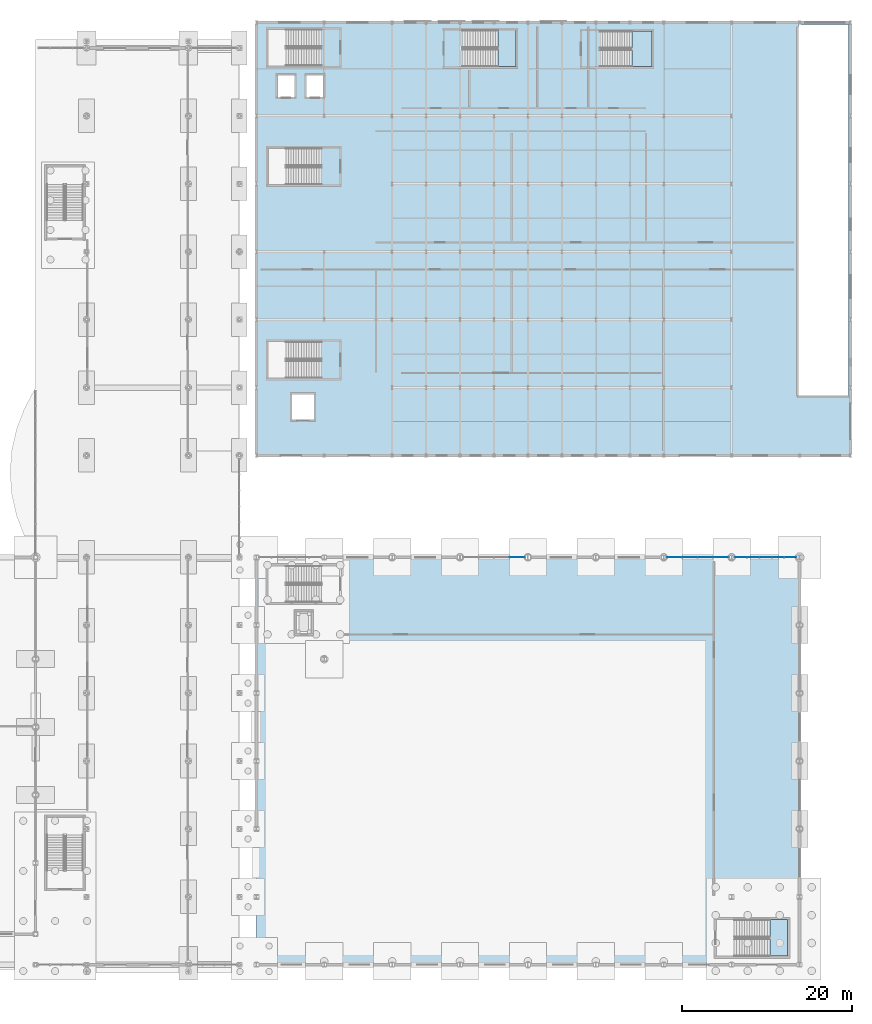
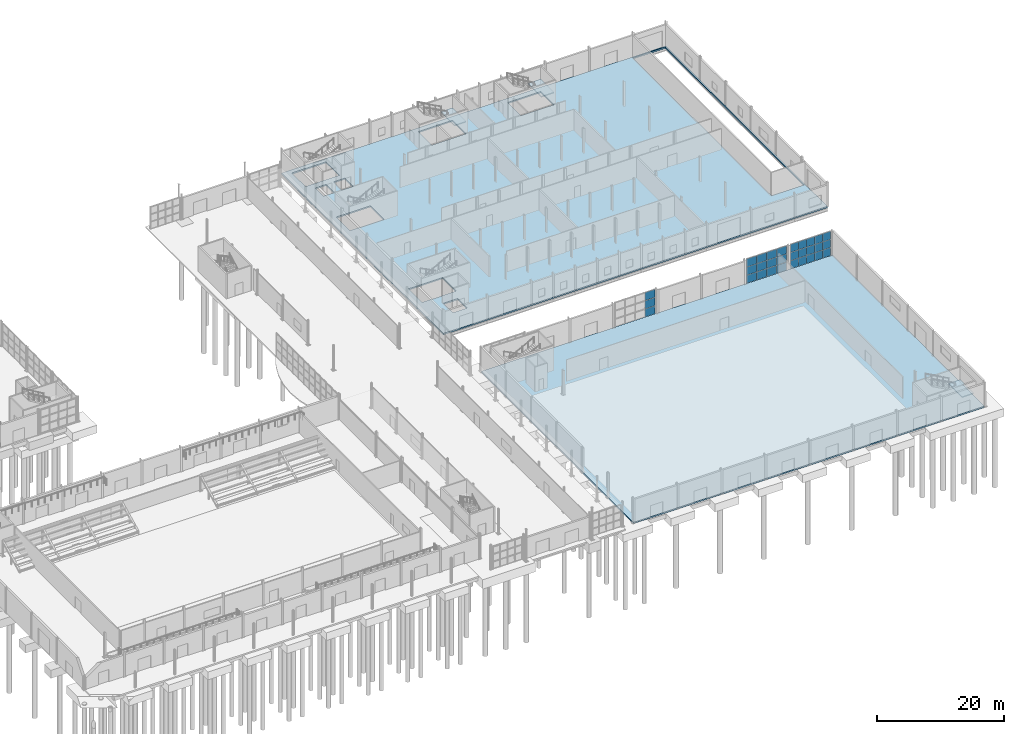
# One storey, part 68 of 101: 30 plates, 5 slabs, 6 elements without a shape of their own.
"""IFC4 building model written with IfcOpenShell, lengths in metres."""

import ifcopenshell
import ifcopenshell.guid

model = None  # the IFC model being written
_history = None  # IfcOwnerHistory: only IFC2X3 demands one
_inside = {}  # id of a spatial element -> (the spatial element, [elements in it])
_under = {}  # id of a project, library or spatial element -> (it, [spatial elements below it])
_declared = {}  # id of a project -> (the project, [libraries it declares])
_typed = {}  # id of a type object -> (the type object, [elements of that type])
_made_of = {}  # id of a material, layer set ... -> (it, [elements and type objects made of it])


def new_model(schema):
    """Start an empty IFC model of exactly this schema.

    Asked for "IFC4X3", IfcOpenShell would pick the latest addendum, in which some entities
    have other attributes; the version numbers below select the first issue.
    IFC2X3 requires an IfcOwnerHistory on every rooted entity: one is made here for all.
    """
    global model, _history
    if schema == "IFC4X3":
        model = ifcopenshell.file(schema_version=(4, 3, 0, 0))
    else:
        model = ifcopenshell.file(schema=schema)
    _inside.clear()
    _under.clear()
    _declared.clear()
    _typed.clear()
    _made_of.clear()
    _history = None
    if model.schema == "IFC2X3":
        org = make("IfcOrganization", Name="unknown")
        user = make(
            "IfcPersonAndOrganization",
            ThePerson=make("IfcPerson", FamilyName="unknown"),
            TheOrganization=org,
        )
        app = make(
            "IfcApplication",
            ApplicationDeveloper=org,
            Version="unknown",
            ApplicationFullName="unknown",
            ApplicationIdentifier="unknown",
        )
        _history = make(
            "IfcOwnerHistory",
            OwningUser=user,
            OwningApplication=app,
            ChangeAction="ADDED",
            CreationDate=0,
        )
    return model


def make(cls, **values):
    """One entity of the class cls with the attributes given. An attribute that is None is left unset."""
    return model.create_entity(
        cls, **{name: value for name, value in values.items() if value is not None}
    )


def rooted(cls, **values):
    """An entity with a GlobalId (a new one), such as an element, a storey or a relation."""
    return make(cls, GlobalId=ifcopenshell.guid.new(), OwnerHistory=_history, **values)


def si_unit(unit_type, name, prefix=None):
    """IfcSIUnit, for example si_unit("LENGTHUNIT", "METRE", prefix="MILLI")."""
    return make("IfcSIUnit", UnitType=unit_type, Prefix=prefix, Name=name)


def derived_unit(unit_type, elements):
    """IfcDerivedUnit: a product of units, each with its exponent."""
    return make(
        "IfcDerivedUnit",
        Elements=[
            make("IfcDerivedUnitElement", Unit=unit, Exponent=power)
            for unit, power in elements
        ],
        UnitType=unit_type,
    )


def assignment(units):
    """IfcUnitAssignment: the units of a project."""
    return None if units is None else make("IfcUnitAssignment", Units=units)


def point(xyz):
    """IfcCartesianPoint."""
    return None if xyz is None else make("IfcCartesianPoint", Coordinates=xyz)


def direction(xyz):
    """IfcDirection."""
    return None if xyz is None else make("IfcDirection", DirectionRatios=xyz)


def frame(location, z_axis=None, x_axis=None):
    """IfcAxis2Placement3D, a coordinate frame: its origin and axes. An axis left out is left unset."""
    return make(
        "IfcAxis2Placement3D",
        Location=point(location),
        Axis=direction(z_axis),
        RefDirection=direction(x_axis),
    )


def frame_2d(location, x_axis=None):
    """IfcAxis2Placement2D, a coordinate frame in the plane: its origin and x axis."""
    return make(
        "IfcAxis2Placement2D", Location=point(location), RefDirection=direction(x_axis)
    )


def origin():
    """The frame at (0, 0, 0) with its axes left unset."""
    return frame((0.0, 0.0, 0.0))


def origin_2d():
    """The frame at (0, 0) in the plane with its x axis left unset."""
    return frame_2d((0.0, 0.0))


def place(relative_to, where):
    """IfcLocalPlacement: puts the frame where relative to a parent placement (None: the world)."""
    return make(
        "IfcLocalPlacement", PlacementRelTo=relative_to, RelativePlacement=where
    )


def context(
    kind, dimensions, precision=None, world=None, true_north=None, identifier=None
):
    """IfcGeometricRepresentationContext, for example the 3D "Model" context."""
    return make(
        "IfcGeometricRepresentationContext",
        ContextIdentifier=identifier,
        ContextType=kind,
        CoordinateSpaceDimension=dimensions,
        Precision=precision,
        WorldCoordinateSystem=world,
        TrueNorth=true_north,
    )


def subcontext(parent, identifier, kind, view, scale=None):
    """IfcGeometricRepresentationSubContext, for example "Body" below "Model"."""
    return make(
        "IfcGeometricRepresentationSubContext",
        ContextIdentifier=identifier,
        ContextType=kind,
        ParentContext=parent,
        TargetScale=scale,
        TargetView=view,
    )


def project(units=None, contexts=None):
    """IfcProject with its units and contexts."""
    return rooted(
        "IfcProject",
        Name="project",
        RepresentationContexts=contexts,
        UnitsInContext=assignment(units),
    )


def spatial(cls, under=None, at=None, **own):
    """A site, building, storey or space (cls), placed at a placement, below another one or the project."""
    s = rooted(cls, ObjectPlacement=at, **own)
    if under is not None:
        _under.setdefault(under.id(), (under, []))[1].append(s)
    return s


def polyline(points):
    """IfcPolyline through the points."""
    return make("IfcPolyline", Points=[point(p) for p in points])


def profile(cls, at=None, kind="AREA", **sizes):
    """A parametric profile (cls). Its sizes go by their IFC names, for example OverallWidth=200.0."""
    return make(cls, ProfileType=kind, Position=at, **sizes)


def rectangle(**sizes):
    """IfcRectangleProfileDef."""
    return profile("IfcRectangleProfileDef", **sizes)


def outline(outer, holes=None, kind="AREA"):
    """IfcArbitraryClosedProfileDef: a profile drawn as a closed curve; with holes, ...WithVoids."""
    if holes is None:
        return make("IfcArbitraryClosedProfileDef", ProfileType=kind, OuterCurve=outer)
    return make(
        "IfcArbitraryProfileDefWithVoids",
        ProfileType=kind,
        OuterCurve=outer,
        InnerCurves=holes,
    )


def extrude(swept, where, along, depth):
    """IfcExtrudedAreaSolid: the profile swept, set in the frame where, extruded along a direction by depth."""
    return make(
        "IfcExtrudedAreaSolid",
        SweptArea=swept,
        Position=where,
        ExtrudedDirection=direction(along),
        Depth=depth,
    )


def shape(context_of_items, identifier, shape_type, items):
    """IfcShapeRepresentation: the items that make up one representation, for example the "Body"."""
    return make(
        "IfcShapeRepresentation",
        ContextOfItems=context_of_items,
        RepresentationIdentifier=identifier,
        RepresentationType=shape_type,
        Items=items,
    )


def material(Name=None, Category=None):
    """IfcMaterial."""
    return make("IfcMaterial", Name=Name, Category=Category)


def layer(
    of_material, thickness, ventilated=None, Name=None, Category=None, Priority=None
):
    """IfcMaterialLayer: one layer of a wall or slab, of a material (None: an air gap)."""
    return make(
        "IfcMaterialLayer",
        Material=of_material,
        LayerThickness=thickness,
        IsVentilated=ventilated,
        Name=Name,
        Category=Category,
        Priority=Priority,
    )


def layer_set(layers, Name=None):
    """IfcMaterialLayerSet."""
    return make("IfcMaterialLayerSet", MaterialLayers=layers, LayerSetName=Name)


def made_of(thing, what):
    """Note that an element or type object is made of a material, layer set ...; save() writes the relation."""
    if what is not None:
        _made_of.setdefault(what.id(), (what, []))[1].append(thing)
    return thing


def type_object(cls, material=None, **own):
    """A type object (cls), such as IfcWallType, which elements share."""
    return made_of(rooted(cls, **own), material)


def element(
    cls,
    number,
    at=None,
    inside=None,
    cuts=None,
    type_object=None,
    material=None,
    context=None,
    identifier="Body",
    shape_type=None,
    held_by="IfcProductDefinitionShape",
    body=None,
    shapes=None,
    **own,
):
    """One element of the class cls, such as IfcWall. Its Tag is "e" and its number.

    at: its placement. inside: the storey or other place that contains it. cuts: it is an
    opening in that element (IfcRelVoidsElement). A single representation is given by context,
    identifier, shape_type and body (its items); several are given by shapes. held_by: the class
    of the entity that holds the representations. save() writes the other relations.
    """
    e = rooted(cls, Tag="e%d" % number, ObjectPlacement=at, **own)
    if body is not None:
        shapes = [shape(context, identifier, shape_type, body)]
    if shapes is not None:
        e.Representation = make(held_by, Representations=shapes)
    if inside is not None:
        _inside.setdefault(inside.id(), (inside, []))[1].append(e)
    if cuts is not None:
        rooted(
            "IfcRelVoidsElement", RelatingBuildingElement=cuts, RelatedOpeningElement=e
        )
    if type_object is not None:
        _typed.setdefault(type_object.id(), (type_object, []))[1].append(e)
    return made_of(e, material)


def aggregate(whole, parts):
    """IfcRelAggregates: a whole, such as a stair, and the parts it consists of."""
    return rooted("IfcRelAggregates", RelatingObject=whole, RelatedObjects=parts)


def save(model, path):
    """Write the relations noted so far, then the file.

    IfcRelAggregates (storeys below a building ...), IfcRelContainedInSpatialStructure (elements
    in a storey), IfcRelDefinesByType, IfcRelAssociatesMaterial and IfcRelDeclares: one each for
    every whole, place, type object, material and project.
    """
    for whole, parts in _under.values():
        aggregate(whole, parts)
    for where, things in _inside.values():
        rooted(
            "IfcRelContainedInSpatialStructure",
            RelatedElements=things,
            RelatingStructure=where,
        )
    for kind, things in _typed.values():
        rooted("IfcRelDefinesByType", RelatedObjects=things, RelatingType=kind)
    for what, things in _made_of.values():
        rooted("IfcRelAssociatesMaterial", RelatedObjects=things, RelatingMaterial=what)
    for by, libraries in _declared.values():
        rooted("IfcRelDeclares", RelatingContext=by, RelatedDefinitions=libraries)
    model.write(path)


model = new_model("IFC4")

# Units and contexts
model_context = context("Model", 3, precision=1e-05, world=origin(), true_north=direction((0.0, 1.0)))
body_context = subcontext(model_context, "Body", "Model", "MODEL_VIEW")
ifc_project = project(units=[si_unit("LENGTHUNIT", "METRE"), si_unit("AREAUNIT", "SQUARE_METRE"), si_unit("VOLUMEUNIT", "CUBIC_METRE"), si_unit("PLANEANGLEUNIT", "RADIAN"), si_unit("MASSUNIT", "GRAM", prefix="KILO"), derived_unit("THERMALTRANSMITTANCEUNIT", [(si_unit("POWERUNIT", "WATT"), 1), (si_unit("LENGTHUNIT", "METRE"), -2), (si_unit("THERMODYNAMICTEMPERATUREUNIT", "KELVIN"), -1)])], contexts=[model_context])

# Site, building, storey
site_placement = place(None, origin())
site = spatial("IfcSite", under=ifc_project, at=site_placement, CompositionType="ELEMENT")
building_placement = place(site_placement, origin())
building = spatial("IfcBuilding", under=site, at=building_placement, Name="Keldorne Ridge Multi-Sports Centre", CompositionType="ELEMENT")
storey_placement = place(building_placement, origin())
storey = spatial("IfcBuildingStorey", under=building, at=storey_placement, Name="L00", CompositionType="ELEMENT", Elevation=0.0)

# Curtain wall, plates
ifc_material_1 = material(Name="Anodized aluminium", Category="aluminium")
curtain_wall_type_1 = type_object("IfcCurtainWallType", Name="CW-CW-05", PredefinedType="NOTDEFINED", material=ifc_material_1)
curtain_wall_1_placement = place(storey_placement, origin())
curtain_wall_1 = element("IfcCurtainWall", 1, at=curtain_wall_1_placement, inside=storey, type_object=curtain_wall_type_1, Name="Lower Courts north glazing 109", PredefinedType="NOTDEFINED")
ifc_material_2 = material(Name="Double low-e insulated glazing", Category="glass")
ifc_layer_1 = layer(ifc_material_2, 0.035888671875)
ifc_layer_set_1 = layer_set([ifc_layer_1])
plate_type = type_object("IfcPlateType", Name="PLT-GL-01", PredefinedType="CURTAIN_PANEL", material=ifc_layer_set_1)
plate_1_placement = place(storey_placement, frame((134.7451171875, 54.0, 0.02001953125), z_axis=(0.0, 0.0, 1.0), x_axis=(-1.0, 0.0, 0.0)))
plate_1 = element("IfcPlate", 2, at=plate_1_placement, type_object=plate_type, Name="CW-109 glazed panel 1.1", PredefinedType="CURTAIN_PANEL", context=body_context, shape_type="SweptSolid", body=[
    extrude(rectangle(XDim=1.7900390625, YDim=0.035888671875, at=origin_2d()), origin(), (0.0, 0.0, 1.0), 1.543212890625),
])
plate_2_placement = place(storey_placement, frame((134.7451171875, 54.0, 1.603515625), z_axis=(0.0, 0.0, 1.0), x_axis=(-1.0, 0.0, 0.0)))
plate_2 = element("IfcPlate", 3, at=plate_2_placement, type_object=plate_type, Name="CW-109 glazed panel 1.2", PredefinedType="CURTAIN_PANEL", context=body_context, shape_type="SweptSolid", body=[
    extrude(rectangle(XDim=1.7900390625, YDim=0.035888671875, at=origin_2d()), origin(), (0.0, 0.0, 1.0), 1.543212890625),
])
plate_3_placement = place(storey_placement, frame((134.7451171875, 54.0, 3.1865234375), z_axis=(0.0, 0.0, 1.0), x_axis=(-1.0, 0.0, 0.0)))
plate_3 = element("IfcPlate", 4, at=plate_3_placement, type_object=plate_type, Name="CW-109 glazed panel 1.3", PredefinedType="CURTAIN_PANEL", context=body_context, shape_type="SweptSolid", body=[
    extrude(rectangle(XDim=1.7900390625, YDim=0.035888671875, at=origin_2d()), origin(), (0.0, 0.0, 1.0), 1.543212890625),
])
aggregate(curtain_wall_1, [plate_1, plate_2, plate_3])

curtain_wall_type_2 = type_object("IfcCurtainWallType", Name="CW-CW-08", PredefinedType="NOTDEFINED", material=ifc_material_1)
curtain_wall_2_placement = place(storey_placement, origin())
curtain_wall_2 = element("IfcCurtainWall", 5, at=curtain_wall_2_placement, inside=storey, type_object=curtain_wall_type_2, Name="Lower Courts north glazing 128", PredefinedType="NOTDEFINED")
plate_4_placement = place(storey_placement, frame((158.7451171875, 54.0, 0.02001953125), z_axis=(0.0, 0.0, 1.0), x_axis=(-1.0, 0.0, 0.0)))
plate_4 = element("IfcPlate", 6, at=plate_4_placement, type_object=plate_type, Name="CW-128 glazed panel 1.1", PredefinedType="CURTAIN_PANEL", context=body_context, shape_type="SweptSolid", body=[
    extrude(rectangle(XDim=1.7900390625, YDim=0.035888671875, at=origin_2d()), origin(), (0.0, 0.0, 1.0), 1.543212890625),
])
plate_5_placement = place(storey_placement, frame((158.7451171875, 54.0, 1.603515625), z_axis=(0.0, 0.0, 1.0), x_axis=(-1.0, 0.0, 0.0)))
plate_5 = element("IfcPlate", 7, at=plate_5_placement, type_object=plate_type, Name="CW-128 glazed panel 1.2", PredefinedType="CURTAIN_PANEL", context=body_context, shape_type="SweptSolid", body=[
    extrude(rectangle(XDim=1.7900390625, YDim=0.035888671875, at=origin_2d()), origin(), (0.0, 0.0, 1.0), 1.543212890625),
])
plate_6_placement = place(storey_placement, frame((158.7451171875, 54.0, 3.1865234375), z_axis=(0.0, 0.0, 1.0), x_axis=(-1.0, 0.0, 0.0)))
plate_6 = element("IfcPlate", 8, at=plate_6_placement, type_object=plate_type, Name="CW-128 glazed panel 1.3", PredefinedType="CURTAIN_PANEL", context=body_context, shape_type="SweptSolid", body=[
    extrude(rectangle(XDim=1.7900390625, YDim=0.035888671875, at=origin_2d()), origin(), (0.0, 0.0, 1.0), 1.543212890625),
])
plate_7_placement = place(storey_placement, frame((156.9150390625, 54.0, 0.02001953125), z_axis=(0.0, 0.0, 1.0), x_axis=(-1.0, 0.0, 0.0)))
plate_7 = element("IfcPlate", 9, at=plate_7_placement, type_object=plate_type, Name="CW-128 glazed panel 2.1", PredefinedType="CURTAIN_PANEL", context=body_context, shape_type="SweptSolid", body=[
    extrude(rectangle(XDim=1.7900390625, YDim=0.035888671875, at=origin_2d()), origin(), (0.0, 0.0, 1.0), 1.543212890625),
])
plate_8_placement = place(storey_placement, frame((156.9150390625, 54.0, 1.603515625), z_axis=(0.0, 0.0, 1.0), x_axis=(-1.0, 0.0, 0.0)))
plate_8 = element("IfcPlate", 10, at=plate_8_placement, type_object=plate_type, Name="CW-128 glazed panel 2.2", PredefinedType="CURTAIN_PANEL", context=body_context, shape_type="SweptSolid", body=[
    extrude(rectangle(XDim=1.7900390625, YDim=0.035888671875, at=origin_2d()), origin(), (0.0, 0.0, 1.0), 1.543212890625),
])
plate_9_placement = place(storey_placement, frame((156.9150390625, 54.0, 3.1865234375), z_axis=(0.0, 0.0, 1.0), x_axis=(-1.0, 0.0, 0.0)))
plate_9 = element("IfcPlate", 11, at=plate_9_placement, type_object=plate_type, Name="CW-128 glazed panel 2.3", PredefinedType="CURTAIN_PANEL", context=body_context, shape_type="SweptSolid", body=[
    extrude(rectangle(XDim=1.7900390625, YDim=0.035888671875, at=origin_2d()), origin(), (0.0, 0.0, 1.0), 1.543212890625),
])
plate_10_placement = place(storey_placement, frame((155.0849609375, 54.0, 0.02001953125), z_axis=(0.0, 0.0, 1.0), x_axis=(-1.0, 0.0, 0.0)))
plate_10 = element("IfcPlate", 12, at=plate_10_placement, type_object=plate_type, Name="CW-128 glazed panel 3.1", PredefinedType="CURTAIN_PANEL", context=body_context, shape_type="SweptSolid", body=[
    extrude(rectangle(XDim=1.7900390625, YDim=0.035888671875, at=origin_2d()), origin(), (0.0, 0.0, 1.0), 1.543212890625),
])
plate_11_placement = place(storey_placement, frame((155.0849609375, 54.0, 1.603515625), z_axis=(0.0, 0.0, 1.0), x_axis=(-1.0, 0.0, 0.0)))
plate_11 = element("IfcPlate", 13, at=plate_11_placement, type_object=plate_type, Name="CW-128 glazed panel 3.2", PredefinedType="CURTAIN_PANEL", context=body_context, shape_type="SweptSolid", body=[
    extrude(rectangle(XDim=1.7900390625, YDim=0.035888671875, at=origin_2d()), origin(), (0.0, 0.0, 1.0), 1.543212890625),
])
plate_12_placement = place(storey_placement, frame((155.0849609375, 54.0, 3.1865234375), z_axis=(0.0, 0.0, 1.0), x_axis=(-1.0, 0.0, 0.0)))
plate_12 = element("IfcPlate", 14, at=plate_12_placement, type_object=plate_type, Name="CW-128 glazed panel 3.3", PredefinedType="CURTAIN_PANEL", context=body_context, shape_type="SweptSolid", body=[
    extrude(rectangle(XDim=1.7900390625, YDim=0.035888671875, at=origin_2d()), origin(), (0.0, 0.0, 1.0), 1.543212890625),
])
plate_13_placement = place(storey_placement, frame((153.2548828125, 54.0, 0.02001953125), z_axis=(0.0, 0.0, 1.0), x_axis=(-1.0, 0.0, 0.0)))
plate_13 = element("IfcPlate", 15, at=plate_13_placement, type_object=plate_type, Name="CW-128 glazed panel 4.1", PredefinedType="CURTAIN_PANEL", context=body_context, shape_type="SweptSolid", body=[
    extrude(rectangle(XDim=1.7900390625, YDim=0.035888671875, at=origin_2d()), origin(), (0.0, 0.0, 1.0), 1.543212890625),
])
plate_14_placement = place(storey_placement, frame((153.2548828125, 54.0, 1.603515625), z_axis=(0.0, 0.0, 1.0), x_axis=(-1.0, 0.0, 0.0)))
plate_14 = element("IfcPlate", 16, at=plate_14_placement, type_object=plate_type, Name="CW-128 glazed panel 4.2", PredefinedType="CURTAIN_PANEL", context=body_context, shape_type="SweptSolid", body=[
    extrude(rectangle(XDim=1.7900390625, YDim=0.035888671875, at=origin_2d()), origin(), (0.0, 0.0, 1.0), 1.543212890625),
])
plate_15_placement = place(storey_placement, frame((153.2548828125, 54.0, 3.1865234375), z_axis=(0.0, 0.0, 1.0), x_axis=(-1.0, 0.0, 0.0)))
plate_15 = element("IfcPlate", 17, at=plate_15_placement, type_object=plate_type, Name="CW-128 glazed panel 4.3", PredefinedType="CURTAIN_PANEL", context=body_context, shape_type="SweptSolid", body=[
    extrude(rectangle(XDim=1.7900390625, YDim=0.035888671875, at=origin_2d()), origin(), (0.0, 0.0, 1.0), 1.543212890625),
])
aggregate(curtain_wall_2, [plate_4, plate_5, plate_6, plate_7, plate_8, plate_9, plate_10, plate_11, plate_12, plate_13, plate_14, plate_15])

curtain_wall_type_3 = type_object("IfcCurtainWallType", Name="CW-CW-07", PredefinedType="NOTDEFINED", material=ifc_material_1)
curtain_wall_3_placement = place(storey_placement, origin())
curtain_wall_3 = element("IfcCurtainWall", 18, at=curtain_wall_3_placement, inside=storey, type_object=curtain_wall_type_3, Name="Lower Courts north glazing 135", PredefinedType="NOTDEFINED")
plate_16_placement = place(storey_placement, frame((166.927978515625, 54.0, 0.02001953125), z_axis=(0.0, 0.0, 1.0), x_axis=(-1.0, 0.0, 0.0)))
plate_16 = element("IfcPlate", 19, at=plate_16_placement, type_object=plate_type, Name="CW-135 glazed panel 1.1", PredefinedType="CURTAIN_PANEL", context=body_context, shape_type="SweptSolid", body=[
    extrude(rectangle(XDim=1.424072265625, YDim=0.035888671875, at=origin_2d()), origin(), (0.0, 0.0, 1.0), 1.543212890625),
])
plate_17_placement = place(storey_placement, frame((166.927978515625, 54.0, 1.603515625), z_axis=(0.0, 0.0, 1.0), x_axis=(-1.0, 0.0, 0.0)))
plate_17 = element("IfcPlate", 20, at=plate_17_placement, type_object=plate_type, Name="CW-135 glazed panel 1.2", PredefinedType="CURTAIN_PANEL", context=body_context, shape_type="SweptSolid", body=[
    extrude(rectangle(XDim=1.424072265625, YDim=0.035888671875, at=origin_2d()), origin(), (0.0, 0.0, 1.0), 1.543212890625),
])
plate_18_placement = place(storey_placement, frame((166.927978515625, 54.0, 3.1865234375), z_axis=(0.0, 0.0, 1.0), x_axis=(-1.0, 0.0, 0.0)))
plate_18 = element("IfcPlate", 21, at=plate_18_placement, type_object=plate_type, Name="CW-135 glazed panel 1.3", PredefinedType="CURTAIN_PANEL", context=body_context, shape_type="SweptSolid", body=[
    extrude(rectangle(XDim=1.424072265625, YDim=0.035888671875, at=origin_2d()), origin(), (0.0, 0.0, 1.0), 1.543212890625),
])
plate_19_placement = place(storey_placement, frame((165.464111328125, 54.0, 0.02001953125), z_axis=(0.0, 0.0, 1.0), x_axis=(-1.0, 0.0, 0.0)))
plate_19 = element("IfcPlate", 22, at=plate_19_placement, type_object=plate_type, Name="CW-135 glazed panel 2.1", PredefinedType="CURTAIN_PANEL", context=body_context, shape_type="SweptSolid", body=[
    extrude(rectangle(XDim=1.424072265625, YDim=0.035888671875, at=origin_2d()), origin(), (0.0, 0.0, 1.0), 1.543212890625),
])
plate_20_placement = place(storey_placement, frame((165.464111328125, 54.0, 1.603515625), z_axis=(0.0, 0.0, 1.0), x_axis=(-1.0, 0.0, 0.0)))
plate_20 = element("IfcPlate", 23, at=plate_20_placement, type_object=plate_type, Name="CW-135 glazed panel 2.2", PredefinedType="CURTAIN_PANEL", context=body_context, shape_type="SweptSolid", body=[
    extrude(rectangle(XDim=1.424072265625, YDim=0.035888671875, at=origin_2d()), origin(), (0.0, 0.0, 1.0), 1.543212890625),
])
plate_21_placement = place(storey_placement, frame((165.464111328125, 54.0, 3.1865234375), z_axis=(0.0, 0.0, 1.0), x_axis=(-1.0, 0.0, 0.0)))
plate_21 = element("IfcPlate", 24, at=plate_21_placement, type_object=plate_type, Name="CW-135 glazed panel 2.3", PredefinedType="CURTAIN_PANEL", context=body_context, shape_type="SweptSolid", body=[
    extrude(rectangle(XDim=1.424072265625, YDim=0.035888671875, at=origin_2d()), origin(), (0.0, 0.0, 1.0), 1.543212890625),
])
plate_22_placement = place(storey_placement, frame((164.0, 54.0, 0.02001953125), z_axis=(0.0, 0.0, 1.0), x_axis=(-1.0, 0.0, 0.0)))
plate_22 = element("IfcPlate", 25, at=plate_22_placement, type_object=plate_type, Name="CW-135 glazed panel 3.1", PredefinedType="CURTAIN_PANEL", context=body_context, shape_type="SweptSolid", body=[
    extrude(rectangle(XDim=1.424072265625, YDim=0.035888671875, at=origin_2d()), origin(), (0.0, 0.0, 1.0), 1.543212890625),
])
plate_23_placement = place(storey_placement, frame((164.0, 54.0, 1.603515625), z_axis=(0.0, 0.0, 1.0), x_axis=(-1.0, 0.0, 0.0)))
plate_23 = element("IfcPlate", 26, at=plate_23_placement, type_object=plate_type, Name="CW-135 glazed panel 3.2", PredefinedType="CURTAIN_PANEL", context=body_context, shape_type="SweptSolid", body=[
    extrude(rectangle(XDim=1.424072265625, YDim=0.035888671875, at=origin_2d()), origin(), (0.0, 0.0, 1.0), 1.543212890625),
])
plate_24_placement = place(storey_placement, frame((164.0, 54.0, 3.1865234375), z_axis=(0.0, 0.0, 1.0), x_axis=(-1.0, 0.0, 0.0)))
plate_24 = element("IfcPlate", 27, at=plate_24_placement, type_object=plate_type, Name="CW-135 glazed panel 3.3", PredefinedType="CURTAIN_PANEL", context=body_context, shape_type="SweptSolid", body=[
    extrude(rectangle(XDim=1.424072265625, YDim=0.035888671875, at=origin_2d()), origin(), (0.0, 0.0, 1.0), 1.543212890625),
])
plate_25_placement = place(storey_placement, frame((162.535888671875, 54.0, 0.02001953125), z_axis=(0.0, 0.0, 1.0), x_axis=(-1.0, 0.0, 0.0)))
plate_25 = element("IfcPlate", 28, at=plate_25_placement, type_object=plate_type, Name="CW-135 glazed panel 4.1", PredefinedType="CURTAIN_PANEL", context=body_context, shape_type="SweptSolid", body=[
    extrude(rectangle(XDim=1.424072265625, YDim=0.035888671875, at=origin_2d()), origin(), (0.0, 0.0, 1.0), 1.543212890625),
])
plate_26_placement = place(storey_placement, frame((162.535888671875, 54.0, 1.603515625), z_axis=(0.0, 0.0, 1.0), x_axis=(-1.0, 0.0, 0.0)))
plate_26 = element("IfcPlate", 29, at=plate_26_placement, type_object=plate_type, Name="CW-135 glazed panel 4.2", PredefinedType="CURTAIN_PANEL", context=body_context, shape_type="SweptSolid", body=[
    extrude(rectangle(XDim=1.424072265625, YDim=0.035888671875, at=origin_2d()), origin(), (0.0, 0.0, 1.0), 1.543212890625),
])
plate_27_placement = place(storey_placement, frame((162.535888671875, 54.0, 3.1865234375), z_axis=(0.0, 0.0, 1.0), x_axis=(-1.0, 0.0, 0.0)))
plate_27 = element("IfcPlate", 30, at=plate_27_placement, type_object=plate_type, Name="CW-135 glazed panel 4.3", PredefinedType="CURTAIN_PANEL", context=body_context, shape_type="SweptSolid", body=[
    extrude(rectangle(XDim=1.424072265625, YDim=0.035888671875, at=origin_2d()), origin(), (0.0, 0.0, 1.0), 1.543212890625),
])
plate_28_placement = place(storey_placement, frame((161.072021484375, 54.0, 0.02001953125), z_axis=(0.0, 0.0, 1.0), x_axis=(-1.0, 0.0, 0.0)))
plate_28 = element("IfcPlate", 31, at=plate_28_placement, type_object=plate_type, Name="CW-135 glazed panel 5.1", PredefinedType="CURTAIN_PANEL", context=body_context, shape_type="SweptSolid", body=[
    extrude(rectangle(XDim=1.424072265625, YDim=0.035888671875, at=origin_2d()), origin(), (0.0, 0.0, 1.0), 1.543212890625),
])
plate_29_placement = place(storey_placement, frame((161.072021484375, 54.0, 1.603515625), z_axis=(0.0, 0.0, 1.0), x_axis=(-1.0, 0.0, 0.0)))
plate_29 = element("IfcPlate", 32, at=plate_29_placement, type_object=plate_type, Name="CW-135 glazed panel 5.2", PredefinedType="CURTAIN_PANEL", context=body_context, shape_type="SweptSolid", body=[
    extrude(rectangle(XDim=1.424072265625, YDim=0.035888671875, at=origin_2d()), origin(), (0.0, 0.0, 1.0), 1.543212890625),
])
plate_30_placement = place(storey_placement, frame((161.072021484375, 54.0, 3.1865234375), z_axis=(0.0, 0.0, 1.0), x_axis=(-1.0, 0.0, 0.0)))
plate_30 = element("IfcPlate", 33, at=plate_30_placement, type_object=plate_type, Name="CW-135 glazed panel 5.3", PredefinedType="CURTAIN_PANEL", context=body_context, shape_type="SweptSolid", body=[
    extrude(rectangle(XDim=1.424072265625, YDim=0.035888671875, at=origin_2d()), origin(), (0.0, 0.0, 1.0), 1.543212890625),
])
aggregate(curtain_wall_3, [plate_16, plate_17, plate_18, plate_19, plate_20, plate_21, plate_22, plate_23, plate_24, plate_25, plate_26, plate_27, plate_28, plate_29, plate_30])

# Stair, slab
ifc_material_3 = material(Name="Concrete C35/45", Category="concrete")
stair_type = type_object("IfcStairType", Name="STR-S01", PredefinedType="HALF_TURN_STAIR", material=ifc_material_3)
stair_1_placement = place(storey_placement, origin())
stair_1 = element("IfcStair", 34, at=stair_1_placement, inside=storey, type_object=stair_type, Name="L00 East Wing Studio Core C3", PredefinedType="HALF_TURN_STAIR")
ifc_layer_2 = layer(ifc_material_3, 0.199951171875)
ifc_layer_set_2 = layer_set([ifc_layer_2], Name="Concrete C35/45")
slab_type_1 = type_object("IfcSlabType", Name="SLB-LDG-01", PredefinedType="LANDING", material=ifc_layer_set_2)
slab_1_placement = place(storey_placement, frame((0.0, 0.0, 2.199951171875)))
slab_1 = element("IfcSlab", 35, at=slab_1_placement, type_object=slab_type_1, Name="ST-03 landing 1", PredefinedType="LANDING", context=body_context, shape_type="SweptSolid", body=[
    extrude(outline(polyline([(148.27001953125, 111.800048828125), (150.60009765625, 111.800048828125), (150.60009765625, 115.97998046875), (148.27001953125, 115.97998046875), (148.27001953125, 111.800048828125)])), origin(), (0.0, 0.0, 1.0), 0.199951171875),
])
aggregate(stair_1, [slab_1])

stair_2_placement = place(storey_placement, origin())
stair_2 = element("IfcStair", 36, at=stair_2_placement, inside=storey, type_object=stair_type, Name="L00 South-East Courts Escape Core C5", PredefinedType="HALF_TURN_STAIR")
slab_2_placement = place(storey_placement, frame((0.0, 0.0, 2.199951171875)))
slab_2 = element("IfcSlab", 37, at=slab_2_placement, type_object=slab_type_1, Name="ST-05 landing 1", PredefinedType="LANDING", context=body_context, shape_type="SweptSolid", body=[
    extrude(outline(polyline([(164.5, 7.0), (166.60009765625, 7.0), (166.60009765625, 11.300048828125), (164.5, 11.300048828125), (164.5, 7.0)])), origin(), (0.0, 0.0, 1.0), 0.199951171875),
])
aggregate(stair_2, [slab_2])

stair_3_placement = place(storey_placement, origin())
stair_3 = element("IfcStair", 38, at=stair_3_placement, inside=storey, type_object=stair_type, Name="L00 Upper Studio Escape Stair ST-10", PredefinedType="HALF_TURN_STAIR")
slab_3_placement = place(storey_placement, frame((0.0, 0.0, 2.199951171875)))
slab_3 = element("IfcSlab", 39, at=slab_3_placement, type_object=slab_type_1, Name="ST-10 landing 1", PredefinedType="LANDING", context=body_context, shape_type="SweptSolid", body=[
    extrude(outline(polyline([(132.5, 111.800048828125), (134.60009765625, 111.800048828125), (134.60009765625, 116.10009765625), (132.5, 116.10009765625), (132.5, 111.800048828125)])), origin(), (0.0, 0.0, 1.0), 0.199951171875),
])
aggregate(stair_3, [slab_3])

# Slabs
ifc_layer_3 = layer(ifc_material_3, 0.27001953125)
ifc_layer_set_3 = layer_set([ifc_layer_3], Name="Concrete C35/45")
slab_type_2 = type_object("IfcSlabType", Name="SLB-SL-F01", PredefinedType="FLOOR", material=ifc_layer_set_3)
slab_4_placement = place(storey_placement, frame((0.0, 0.0, -0.27001953125)))
element("IfcSlab", 40, at=slab_4_placement, inside=storey, type_object=slab_type_2, Name="Ground East Wing transfer slab", PredefinedType="FLOOR", context=body_context, shape_type="SweptSolid", body=[
    extrude(outline(polyline([(104.0, 66.0), (174.0, 66.0), (174.0, 117.0), (104.0, 117.0), (104.0, 66.0)]), holes=[polyline([(105.39990234375, 111.89990234375), (105.39990234375, 116.199951171875), (111.6201171875, 116.199951171875), (111.6201171875, 111.89990234375), (105.39990234375, 111.89990234375)]), polyline([(105.39990234375, 75.10009765625), (105.39990234375, 79.39990234375), (111.6201171875, 79.39990234375), (111.6201171875, 75.10009765625), (105.39990234375, 75.10009765625)]), polyline([(144.580078125, 111.800048828125), (144.580078125, 115.97998046875), (150.60009765625, 115.97998046875), (150.60009765625, 111.800048828125), (144.580078125, 111.800048828125)]), polyline([(128.3798828125, 111.800048828125), (128.3798828125, 116.10009765625), (134.60009765625, 116.10009765625), (134.60009765625, 111.800048828125), (128.3798828125, 111.800048828125)]), polyline([(105.39990234375, 97.89990234375), (105.39990234375, 102.199951171875), (111.6201171875, 102.199951171875), (111.6201171875, 97.89990234375), (105.39990234375, 97.89990234375)]), polyline([(106.5, 108.199951171875), (106.5, 110.800048828125), (108.5, 110.800048828125), (108.5, 108.199951171875), (106.5, 108.199951171875)]), polyline([(109.89990234375, 108.199951171875), (109.89990234375, 110.800048828125), (111.89990234375, 110.800048828125), (111.89990234375, 108.199951171875), (109.89990234375, 108.199951171875)]), polyline([(108.199951171875, 70.199951171875), (108.199951171875, 73.199951171875), (110.800048828125, 73.199951171875), (110.800048828125, 70.199951171875), (108.199951171875, 70.199951171875)]), polyline([(167.85009765625, 73.0), (167.85009765625, 116.75), (173.75, 116.75), (173.75, 73.0), (167.85009765625, 73.0)])]), origin(), (0.0, 0.0, 1.0), 0.27001953125),
])
ifc_layer_4 = layer(ifc_material_3, 0.280029296875)
ifc_layer_set_4 = layer_set([ifc_layer_4], Name="Concrete C35/45")
slab_type_3 = type_object("IfcSlabType", Name="SLB-SL-G02", PredefinedType="BASESLAB", material=ifc_layer_set_4)
slab_5_placement = place(storey_placement, frame((0.0, 0.0, -0.280029296875)))
element("IfcSlab", 41, at=slab_5_placement, inside=storey, type_object=slab_type_3, Name="Ground Lower Training Hall slab", PredefinedType="BASESLAB", context=body_context, shape_type="SweptSolid", body=[
    extrude(outline(polyline([(104.0, 6.0), (168.0, 6.0), (168.0, 54.0), (104.0, 54.0), (104.0, 6.0)])), origin(), (0.0, 0.0, 1.0), 0.280029296875),
])

save(model, "model.ifc")
